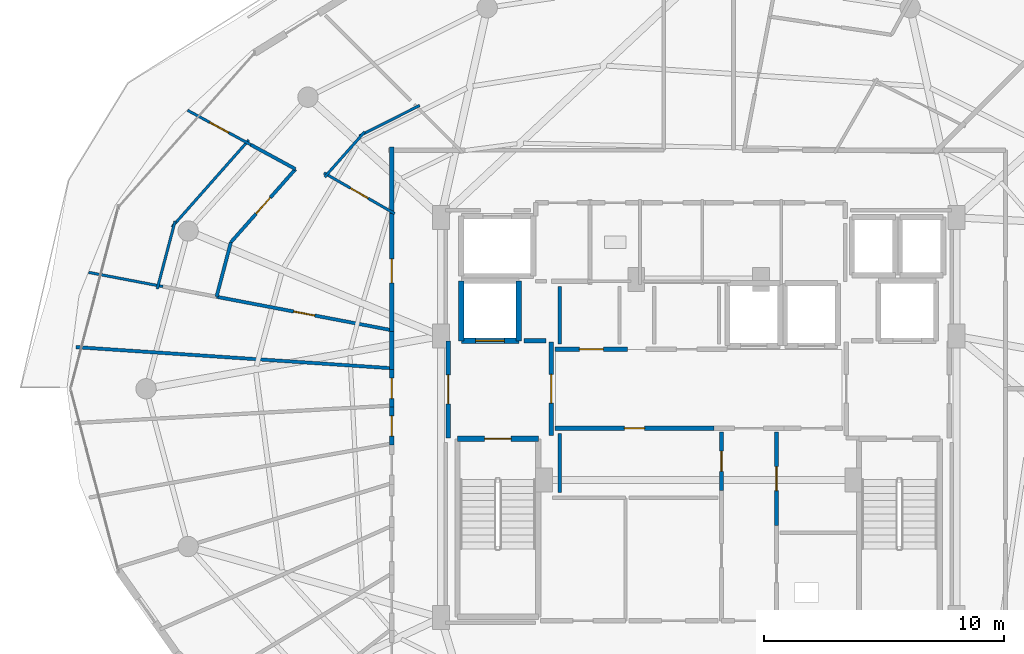
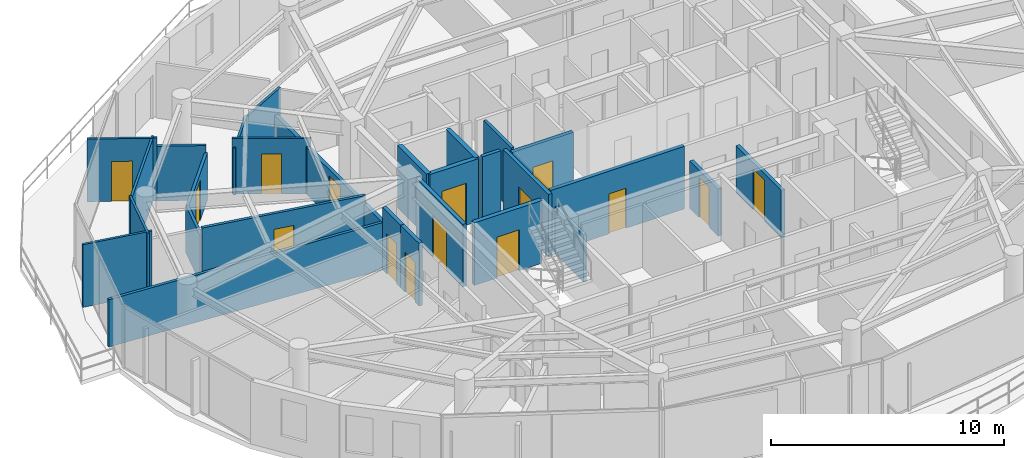
# One storey, part 22 of 29: 30 walls, 15 doors, 15 openings.
"""IFC4 building model written with IfcOpenShell, lengths in metres."""

from ifc_helpers import new_model, si_unit, direction, frame, frame_2d, origin, place, context, subcontext, project, spatial, rectangle, extrude, material, layer, layer_set, type_object, element, fill, save


model = new_model("IFC4")

# Units and contexts
model_context = context("Model", 3, precision=1e-05, world=origin(), true_north=direction((0.0, 1.0)))
body_context = subcontext(model_context, "Body", "Model", "MODEL_VIEW")
ifc_project = project(units=[si_unit("LENGTHUNIT", "METRE"), si_unit("AREAUNIT", "SQUARE_METRE"), si_unit("VOLUMEUNIT", "CUBIC_METRE"), si_unit("PLANEANGLEUNIT", "RADIAN"), si_unit("MASSUNIT", "GRAM", prefix="KILO")], contexts=[model_context])

# Site, building, storey
site_placement = place(None, origin())
site = spatial("IfcSite", under=ifc_project, at=site_placement, CompositionType="ELEMENT")
building_placement = place(site_placement, origin())
building = spatial("IfcBuilding", under=site, at=building_placement, Name="Vorneva Point Tower", CompositionType="ELEMENT")
storey_placement = place(building_placement, frame((0.0, 0.0, 273.300048828125)))
storey = spatial("IfcBuildingStorey", under=building, at=storey_placement, Name="L74", CompositionType="ELEMENT", Elevation=273.300048828125)

# Wall, opening, door
ifc_material_1 = material(Name="Concrete B60 (C50/60)", Category="concrete")
ifc_layer_1 = layer(ifc_material_1, 0.35009765625)
ifc_layer_set_1 = layer_set([ifc_layer_1], Name="Concrete B60 (C50/60)")
wall_type_1 = type_object("IfcWallType", Name="WL-CORE-350", PredefinedType="SHEAR", material=ifc_layer_set_1)
wall_1_placement = place(storey_placement, frame((28.10009765625, 28.0, 0.0), z_axis=(0.0, 0.0, 1.0), x_axis=(1.0, 0.0, 0.0)))
wall_1 = element("IfcWall", 1, at=wall_1_placement, inside=storey, type_object=wall_type_1, Name="L74 Lift FFL1 Shaft Wall -Y", PredefinedType="SHEAR", context=body_context, shape_type="SweptSolid", body=[
    extrude(rectangle(XDim=2.39990234375, YDim=0.219970703125, at=frame_2d((1.199951171875, 0.0))), origin(), (0.0, 0.0, 1.0), 3.2900390625),
])
opening_1_placement = place(wall_1_placement, frame((0.60009765625, 0.0, 0.0)))
opening_1 = element("IfcOpeningElement", 2, at=opening_1_placement, cuts=wall_1, Name="Opening LD-02", PredefinedType="OPENING", context=body_context, shape_type="SweptSolid", body=[
    extrude(rectangle(XDim=1.199951171875, YDim=2.199951171875, at=frame_2d((0.60009765625, 1.10009765625))), frame((0.0, 0.125, 0.0), z_axis=(0.0, -1.0, 0.0), x_axis=(1.0, 0.0, 0.0)), (0.0, 0.0, 1.0), 0.249755859375),
])
ifc_material_2 = material(Name="Brushed stainless steel S304", Category="steel")
door_type_1 = type_object("IfcDoorType", Name="LD-FIRE-1200", OperationType="SLIDING_TO_LEFT", PredefinedType="DOOR", material=ifc_material_2)
door_1_placement = place(opening_1_placement, origin())
door_1 = element("IfcDoor", 3, at=door_1_placement, inside=storey, type_object=door_type_1, Name="L74 Lift FFL1 Sliding Landing Door", OperationType="SLIDING_TO_LEFT", OverallHeight=2.199951171875, OverallWidth=1.199951171875, PredefinedType="DOOR", context=body_context, shape_type="SweptSolid", body=[
    extrude(rectangle(XDim=1.199951171875, YDim=2.199951171875, at=frame_2d((0.60009765625, 1.10009765625))), frame((0.0, 0.02490234375, 0.0), z_axis=(0.0, -1.0, 0.0), x_axis=(1.0, 0.0, 0.0)), (0.0, 0.0, 1.0), 0.050048828125),
])
fill(opening_1, door_1)

# Walls
for number, where, z_axis, x_axis, name in (
    (4, (30.5, 28.0, 0.0), (0.0, 0.0, 1.0), (0.0, 1.0, 0.0), "L74 Lift FFL1 Shaft Wall +X"),
    (5, (28.10009765625, 30.5, 0.0), (0.0, 0.0, 1.0), (0.0, -1.0, 0.0), "L74 Lift FFL1 Shaft Wall -X"),
):
    element("IfcWall", number, at=place(storey_placement, frame(where, z_axis=z_axis, x_axis=x_axis)), inside=storey, type_object=wall_type_1, Name=name, PredefinedType="SHEAR", context=body_context, shape_type="SweptSolid", body=[
        extrude(rectangle(XDim=2.5, YDim=0.219970703125, at=frame_2d((1.25, 0.0))), origin(), (0.0, 0.0, 1.0), 3.2900390625),
    ])

# Wall, opening, door
ifc_material_3 = material(Name="Fire-rated acoustic gypsum stud partition", Category="gypsum")
ifc_layer_2 = layer(ifc_material_3, 0.110107421875)
ifc_layer_set_2 = layer_set([ifc_layer_2], Name="Fire-rated acoustic gypsum stud partition")
wall_type_2 = type_object("IfcWallType", Name="WL-PART-110", PredefinedType="PARTITIONING", material=ifc_layer_set_2)
wall_2_placement = place(storey_placement, frame((25.3212890625, 33.30615234375, 0.0), z_axis=(0.0, 0.0, 1.0), x_axis=(-0.866517217622, 0.49914718427, 0.0)))
wall_2 = element("IfcWall", 6, at=wall_2_placement, inside=storey, type_object=wall_type_2, Name="L74 Interior Partition 075", PredefinedType="PARTITIONING", context=body_context, shape_type="SweptSolid", body=[
    extrude(rectangle(XDim=3.4052734375, YDim=0.110107421875, at=frame_2d((1.70263671875, 0.0))), origin(), (0.0, 0.0, 1.0), 2.924072265625),
])
opening_2_placement = place(wall_2_placement, frame((1.277587890625, 0.0, 0.0)))
opening_2 = element("IfcOpeningElement", 7, at=opening_2_placement, cuts=wall_2, Name="Opening ID-02", PredefinedType="OPENING", context=body_context, shape_type="SweptSolid", body=[
    extrude(rectangle(XDim=0.85009765625, YDim=2.10009765625, at=frame_2d((0.425048828125, 1.050048828125))), frame((0.0, 0.06982421875, 0.0), z_axis=(0.0, -1.0, 0.0), x_axis=(1.0, 0.0, 0.0)), (0.0, 0.0, 1.0), 0.139892578125),
])
ifc_material_4 = material(Name="Engineered oak fire-rated door leaf", Category="wood")
door_type_2 = type_object("IfcDoorType", Name="DR-BATH-850", OperationType="NOTDEFINED", PredefinedType="DOOR", material=ifc_material_4)
door_2_placement = place(opening_2_placement, origin())
door_2 = element("IfcDoor", 8, at=door_2_placement, inside=storey, type_object=door_type_2, Name="L74 Door Living and Dining Room L74-02 / Bathroom L74-02", OperationType="SINGLE_SWING_RIGHT", OverallHeight=2.10009765625, OverallWidth=0.85009765625, PredefinedType="DOOR", context=body_context, shape_type="SweptSolid", body=[
    extrude(rectangle(XDim=0.85009765625, YDim=2.10009765625, at=frame_2d((0.425048828125, 1.050048828125))), frame((0.0, 0.02490234375, 0.0), z_axis=(0.0, -1.0, 0.0), x_axis=(1.0, 0.0, 0.0)), (0.0, 0.0, 1.0), 0.050048828125),
])
fill(opening_2, door_2)

# Walls
wall_3_placement = place(storey_placement, frame((22.3994140625, 34.8310546875, 0.0), z_axis=(0.0, 0.0, 1.0), x_axis=(0.662292938072, 0.749244996099, 0.0)))
element("IfcWall", 9, at=wall_3_placement, inside=storey, type_object=wall_type_2, Name="L74 Interior Partition 076", PredefinedType="PARTITIONING", context=body_context, shape_type="SweptSolid", body=[
    extrude(rectangle(XDim=2.512939453125, YDim=0.110107421875, at=frame_2d((1.25634765625, 0.0))), origin(), (0.0, 0.0, 1.0), 2.48193359375),
])
wall_4_placement = place(storey_placement, frame((23.845947265625, 36.5458984375, 0.0), z_axis=(0.0, 0.0, 1.0), x_axis=(0.892553076465, 0.450942352959, 0.0)))
element("IfcWall", 10, at=wall_4_placement, inside=storey, type_object=wall_type_2, Name="L74 Interior Partition 077", PredefinedType="PARTITIONING", context=body_context, shape_type="SweptSolid", body=[
    extrude(rectangle(XDim=2.82568359375, YDim=0.110107421875, at=frame_2d((1.412841796875, 0.0))), origin(), (0.0, 0.0, 1.0), 2.48193359375),
])
wall_5_placement = place(storey_placement, frame((15.6474609375, 30.264892578125, 0.0), z_axis=(0.0, 0.0, 1.0), x_axis=(-0.982326348308, 0.187176241599, 0.0)))
element("IfcWall", 11, at=wall_5_placement, inside=storey, type_object=wall_type_2, Name="L74 Interior Partition 079", PredefinedType="PARTITIONING", context=body_context, shape_type="SweptSolid", body=[
    extrude(rectangle(XDim=3.148681640625, YDim=0.110107421875, at=frame_2d((1.57421875, 0.0))), origin(), (0.0, 0.0, 1.0), 3.2900390625),
])

# Wall, opening, door
wall_6_placement = place(storey_placement, frame((16.68408203125, 37.614013671875, 0.0), z_axis=(0.0, 0.0, 1.0), x_axis=(0.878218537438, -0.478259553486, 0.0)))
wall_6 = element("IfcWall", 12, at=wall_6_placement, inside=storey, type_object=wall_type_2, Name="L74 Interior Partition 080", PredefinedType="PARTITIONING", context=body_context, shape_type="SweptSolid", body=[
    extrude(rectangle(XDim=3.002685546875, YDim=0.110107421875, at=frame_2d((1.50146484375, 0.0))), origin(), (0.0, 0.0, 1.0), 3.2900390625),
])
opening_3_placement = place(wall_6_placement, frame((1.05126953125, 0.0, 0.0)))
opening_3 = element("IfcOpeningElement", 13, at=opening_3_placement, cuts=wall_6, Name="Opening ID-01", PredefinedType="OPENING", context=body_context, shape_type="SweptSolid", body=[
    extrude(rectangle(XDim=0.89990234375, YDim=2.10009765625, at=frame_2d((0.449951171875, 1.050048828125))), frame((0.0, 0.06982421875, 0.0), z_axis=(0.0, -1.0, 0.0), x_axis=(1.0, 0.0, 0.0)), (0.0, 0.0, 1.0), 0.139892578125),
])
door_type_3 = type_object("IfcDoorType", Name="DR-ROOM-900", OperationType="NOTDEFINED", PredefinedType="DOOR", material=ifc_material_4)
door_3_placement = place(opening_3_placement, origin())
door_3 = element("IfcDoor", 14, at=door_3_placement, inside=storey, type_object=door_type_3, Name="L74 Door Living and Dining Room L74-02 / Kitchen L74-02", OperationType="SINGLE_SWING_RIGHT", OverallHeight=2.10009765625, OverallWidth=0.89990234375, PredefinedType="DOOR", context=body_context, shape_type="SweptSolid", body=[
    extrude(rectangle(XDim=0.89990234375, YDim=2.10009765625, at=frame_2d((0.449951171875, 1.050048828125))), frame((0.0, 0.02490234375, 0.0), z_axis=(0.0, -1.0, 0.0), x_axis=(1.0, 0.0, 0.0)), (0.0, 0.0, 1.0), 0.050048828125),
])
fill(opening_3, door_3)

# Walls
wall_7_placement = place(storey_placement, frame((15.415283203125, 30.16650390625, 0.0), z_axis=(0.0, 0.0, 1.0), x_axis=(0.254760975284, 0.967004056596, 0.0)))
element("IfcWall", 15, at=wall_7_placement, inside=storey, type_object=wall_type_2, Name="L74 Interior Partition 086", PredefinedType="PARTITIONING", context=body_context, shape_type="SweptSolid", body=[
    extrude(rectangle(XDim=2.91796875, YDim=0.110107421875, at=frame_2d((1.458984375, 0.0))), origin(), (0.0, 0.0, 1.0), 3.2900390625),
])
wall_8_placement = place(storey_placement, frame((16.0302734375, 32.748046875, 0.0), z_axis=(0.0, 0.0, 1.0), x_axis=(0.662164889187, 0.749358165051, 0.0)))
element("IfcWall", 16, at=wall_8_placement, inside=storey, type_object=wall_type_2, Name="L74 Interior Partition 087", PredefinedType="PARTITIONING", context=body_context, shape_type="SweptSolid", body=[
    extrude(rectangle(XDim=4.843994140625, YDim=0.110107421875, at=frame_2d((2.421875, 0.0))), origin(), (0.0, 0.0, 1.0), 3.2900390625),
])

# Wall, opening, door
ifc_layer_3 = layer(ifc_material_3, 0.139892578125)
ifc_layer_set_3 = layer_set([ifc_layer_3], Name="Fire-rated acoustic gypsum stud partition")
wall_type_3 = type_object("IfcWallType", Name="WL-PART-140", PredefinedType="PARTITIONING", material=ifc_layer_set_3)
wall_9_placement = place(storey_placement, frame((21.18310546875, 35.1630859375, 0.0), z_axis=(0.0, 0.0, 1.0), x_axis=(-0.662034108956, -0.74947370773, 0.0)))
wall_9 = element("IfcWall", 17, at=wall_9_placement, inside=storey, type_object=wall_type_3, Name="L74 Interior Partition 081", PredefinedType="PARTITIONING", context=body_context, shape_type="SweptSolid", body=[
    extrude(rectangle(XDim=4.07080078125, YDim=0.139892578125, at=frame_2d((2.035400390625, 0.0))), origin(), (0.0, 0.0, 1.0), 2.48193359375),
])
opening_4_placement = place(wall_9_placement, frame((1.58544921875, 0.0, 0.0)))
opening_4 = element("IfcOpeningElement", 18, at=opening_4_placement, cuts=wall_9, Name="Opening ID-01", PredefinedType="OPENING", context=body_context, shape_type="SweptSolid", body=[
    extrude(rectangle(XDim=0.89990234375, YDim=2.10009765625, at=frame_2d((0.449951171875, 1.050048828125))), frame((0.0, 0.0849609375, 0.0), z_axis=(0.0, -1.0, 0.0), x_axis=(1.0, 0.0, 0.0)), (0.0, 0.0, 1.0), 0.169677734375),
])
door_4_placement = place(opening_4_placement, origin())
door_4 = element("IfcDoor", 19, at=door_4_placement, inside=storey, type_object=door_type_3, Name="L74 Door Living and Dining Room L74-02 / Study Room L74-02", OperationType="SINGLE_SWING_LEFT", OverallHeight=2.10009765625, OverallWidth=0.89990234375, PredefinedType="DOOR", context=body_context, shape_type="SweptSolid", body=[
    extrude(rectangle(XDim=0.89990234375, YDim=2.10009765625, at=frame_2d((0.449951171875, 1.050048828125))), frame((0.0, 0.02490234375, 0.0), z_axis=(0.0, -1.0, 0.0), x_axis=(1.0, 0.0, 0.0)), (0.0, 0.0, 1.0), 0.050048828125),
])
fill(opening_4, door_4)

# Walls
wall_10_placement = place(storey_placement, frame((18.488037109375, 32.112060546875, 0.0), z_axis=(0.0, 0.0, 1.0), x_axis=(-0.254651639247, -0.967032854989, 0.0)))
element("IfcWall", 20, at=wall_10_placement, inside=storey, type_object=wall_type_3, Name="L74 Interior Partition 082", PredefinedType="PARTITIONING", context=body_context, shape_type="SweptSolid", body=[
    extrude(rectangle(XDim=2.352783203125, YDim=0.139892578125, at=frame_2d((1.17626953125, 0.0))), origin(), (0.0, 0.0, 1.0), 2.48193359375),
])
wall_11_placement = place(storey_placement, frame((19.32080078125, 36.177490234375, 0.0), z_axis=(0.0, 0.0, 1.0), x_axis=(0.878172605495, -0.47834388776, 0.0)))
element("IfcWall", 21, at=wall_11_placement, inside=storey, type_object=wall_type_3, Name="L74 Interior Partition 084", PredefinedType="PARTITIONING", context=body_context, shape_type="SweptSolid", body=[
    extrude(rectangle(XDim=2.12060546875, YDim=0.139892578125, at=frame_2d((1.060302734375, 0.0))), origin(), (0.0, 0.0, 1.0), 2.8740234375),
])

# Wall, opening, door
wall_12_placement = place(storey_placement, frame((17.888916015625, 29.836669921875, 0.0), z_axis=(0.0, 0.0, 1.0), x_axis=(0.982284262094, -0.187396980877, 0.0)))
wall_12 = element("IfcWall", 22, at=wall_12_placement, inside=storey, type_object=wall_type_3, Name="L74 Interior Partition 085", PredefinedType="PARTITIONING", context=body_context, shape_type="SweptSolid", body=[
    extrude(rectangle(XDim=7.44287109375, YDim=0.139892578125, at=frame_2d((3.721435546875, 0.0))), origin(), (0.0, 0.0, 1.0), 2.924072265625),
])
opening_5_placement = place(wall_12_placement, frame((3.271484375, 0.0, 0.0)))
opening_5 = element("IfcOpeningElement", 23, at=opening_5_placement, cuts=wall_12, Name="Opening ID-01", PredefinedType="OPENING", context=body_context, shape_type="SweptSolid", body=[
    extrude(rectangle(XDim=0.89990234375, YDim=2.10009765625, at=frame_2d((0.449951171875, 1.050048828125))), frame((0.0, 0.0849609375, 0.0), z_axis=(0.0, -1.0, 0.0), x_axis=(1.0, 0.0, 0.0)), (0.0, 0.0, 1.0), 0.169677734375),
])
door_5_placement = place(opening_5_placement, origin())
door_5 = element("IfcDoor", 24, at=door_5_placement, inside=storey, type_object=door_type_3, Name="L74 Door Living and Dining Room L74-02 / Master Bedroom L74-02.1", OperationType="SINGLE_SWING_RIGHT", OverallHeight=2.10009765625, OverallWidth=0.89990234375, PredefinedType="DOOR", context=body_context, shape_type="SweptSolid", body=[
    extrude(rectangle(XDim=0.89990234375, YDim=2.10009765625, at=frame_2d((0.449951171875, 1.050048828125))), frame((0.0, 0.02490234375, 0.0), z_axis=(0.0, -1.0, 0.0), x_axis=(1.0, 0.0, 0.0)), (0.0, 0.0, 1.0), 0.050048828125),
])
fill(opening_5, door_5)

# Walls
wall_13_placement = place(storey_placement, frame((12.027099609375, 27.737060546875, 0.0), z_axis=(0.0, 0.0, 1.0), x_axis=(0.997770487114, -0.066738707243, 0.0)))
element("IfcWall", 25, at=wall_13_placement, inside=storey, type_object=wall_type_3, Name="L74 Interior Partition 088", PredefinedType="PARTITIONING", context=body_context, shape_type="SweptSolid", body=[
    extrude(rectangle(XDim=13.202392578125, YDim=0.139892578125, at=frame_2d((6.60107421875, 0.0))), origin(), (0.0, 0.0, 1.0), 2.48193359375),
])
wall_14_placement = place(storey_placement, frame((32.199951171875, 30.260009765625, 0.0), z_axis=(0.0, 0.0, 1.0), x_axis=(0.0, -1.0, 0.0)))
element("IfcWall", 26, at=wall_14_placement, inside=storey, type_object=wall_type_3, Name="L74 Interior Closure Partition 113", PredefinedType="PARTITIONING", context=body_context, shape_type="SweptSolid", body=[
    extrude(rectangle(XDim=2.389892578125, YDim=0.139892578125, at=frame_2d((1.19482421875, 0.0))), origin(), (0.0, 0.0, 1.0), 3.2900390625),
])
wall_15_placement = place(storey_placement, frame((32.199951171875, 24.1298828125, 0.0), z_axis=(0.0, 0.0, 1.0), x_axis=(0.0, -1.0, 0.0)))
element("IfcWall", 27, at=wall_15_placement, inside=storey, type_object=wall_type_3, Name="L74 Interior Closure Partition 117", PredefinedType="PARTITIONING", context=body_context, shape_type="SweptSolid", body=[
    extrude(rectangle(XDim=2.4599609375, YDim=0.139892578125, at=frame_2d((1.22998046875, 0.0))), origin(), (0.0, 0.0, 1.0), 2.48193359375),
])

# Wall, opening, door
ifc_material_5 = material(Name="Autoclaved aerated concrete blockwork", Category="masonry")
ifc_layer_4 = layer(ifc_material_5, 0.179931640625)
ifc_layer_set_4 = layer_set([ifc_layer_4], Name="Autoclaved aerated concrete blockwork")
wall_type_4 = type_object("IfcWallType", Name="WL-PART-180", PredefinedType="PARTITIONING", material=ifc_layer_set_4)
wall_16_placement = place(storey_placement, frame((31.85009765625, 24.044921875, 0.0), z_axis=(0.0, 0.0, 1.0), x_axis=(0.0, 1.0, 0.0)))
wall_16 = element("IfcWall", 28, at=wall_16_placement, inside=storey, type_object=wall_type_4, Name="L74 Interior Partition 001", PredefinedType="PARTITIONING", context=body_context, shape_type="SweptSolid", body=[
    extrude(rectangle(XDim=3.91015625, YDim=0.179931640625, at=frame_2d((1.955078125, 0.0))), origin(), (0.0, 0.0, 1.0), 3.2900390625),
])
opening_6_placement = place(wall_16_placement, frame((1.35498046875, 0.0, 0.0)))
opening_6 = element("IfcOpeningElement", 29, at=opening_6_placement, cuts=wall_16, Name="Opening FD-02", PredefinedType="OPENING", context=body_context, shape_type="SweptSolid", body=[
    extrude(rectangle(XDim=1.199951171875, YDim=2.14990234375, at=frame_2d((0.60009765625, 1.074951171875))), frame((0.0, 0.10498046875, 0.0), z_axis=(0.0, -1.0, 0.0), x_axis=(1.0, 0.0, 0.0)), (0.0, 0.0, 1.0), 0.209716796875),
])
ifc_material_6 = material(Name="Fire-rated powder-coated steel", Category="steel")
door_type_4 = type_object("IfcDoorType", Name="DR-FFL-1200", OperationType="NOTDEFINED", PredefinedType="DOOR", material=ifc_material_6)
door_6_placement = place(opening_6_placement, origin())
door_6 = element("IfcDoor", 30, at=door_6_placement, inside=storey, type_object=door_type_4, Name="L74 Door West Firefighting Lobby / Central Lift Lobby", OperationType="SINGLE_SWING_LEFT", OverallHeight=2.14990234375, OverallWidth=1.199951171875, PredefinedType="DOOR", context=body_context, shape_type="SweptSolid", body=[
    extrude(rectangle(XDim=1.199951171875, YDim=2.14990234375, at=frame_2d((0.60009765625, 1.074951171875))), frame((0.0, 0.02490234375, 0.0), z_axis=(0.0, -1.0, 0.0), x_axis=(1.0, 0.0, 0.0)), (0.0, 0.0, 1.0), 0.050048828125),
])
fill(opening_6, door_6)

wall_17_placement = place(storey_placement, frame((27.550048828125, 28.0, 0.0), z_axis=(0.0, 0.0, 1.0), x_axis=(0.0, -1.0, 0.0)))
wall_17 = element("IfcWall", 31, at=wall_17_placement, inside=storey, type_object=wall_type_4, Name="L74 Interior Partition 002", PredefinedType="PARTITIONING", context=body_context, shape_type="SweptSolid", body=[
    extrude(rectangle(XDim=4.050048828125, YDim=0.179931640625, at=frame_2d((2.02490234375, 0.0))), origin(), (0.0, 0.0, 1.0), 3.2900390625),
])
opening_7_placement = place(wall_17_placement, frame((1.425048828125, 0.0, 0.0)))
opening_7 = element("IfcOpeningElement", 32, at=opening_7_placement, cuts=wall_17, Name="Opening FD-02", PredefinedType="OPENING", context=body_context, shape_type="SweptSolid", body=[
    extrude(rectangle(XDim=1.199951171875, YDim=2.14990234375, at=frame_2d((0.60009765625, 1.074951171875))), frame((0.0, 0.10498046875, 0.0), z_axis=(0.0, -1.0, 0.0), x_axis=(1.0, 0.0, 0.0)), (0.0, 0.0, 1.0), 0.209716796875),
])
door_7_placement = place(opening_7_placement, origin())
door_7 = element("IfcDoor", 33, at=door_7_placement, inside=storey, type_object=door_type_4, Name="L74 Door West Firefighting Lobby / L74 Circulation Corridor", OperationType="SINGLE_SWING_RIGHT", OverallHeight=2.14990234375, OverallWidth=1.199951171875, PredefinedType="DOOR", context=body_context, shape_type="SweptSolid", body=[
    extrude(rectangle(XDim=1.199951171875, YDim=2.14990234375, at=frame_2d((0.60009765625, 1.074951171875))), frame((0.0, 0.02490234375, 0.0), z_axis=(0.0, -1.0, 0.0), x_axis=(1.0, 0.0, 0.0)), (0.0, 0.0, 1.0), 0.050048828125),
])
fill(opening_7, door_7)

wall_18_placement = place(storey_placement, frame((35.0400390625, 27.64990234375, 0.0), z_axis=(0.0, 0.0, 1.0), x_axis=(-1.0, 0.0, 0.0)))
wall_18 = element("IfcWall", 34, at=wall_18_placement, inside=storey, type_object=wall_type_4, Name="L74 Interior Partition 012", PredefinedType="PARTITIONING", context=body_context, shape_type="SweptSolid", body=[
    extrude(rectangle(XDim=3.0400390625, YDim=0.179931640625, at=frame_2d((1.52001953125, 0.0))), origin(), (0.0, 0.0, 1.0), 3.2900390625),
])
opening_8_placement = place(wall_18_placement, frame((1.02001953125, 0.0, 0.0)))
opening_8 = element("IfcOpeningElement", 35, at=opening_8_placement, cuts=wall_18, Name="Opening UD-01", PredefinedType="OPENING", context=body_context, shape_type="SweptSolid", body=[
    extrude(rectangle(XDim=1.0, YDim=2.14990234375, at=frame_2d((0.5, 1.074951171875))), frame((0.0, 0.10498046875, 0.0), z_axis=(0.0, -1.0, 0.0), x_axis=(1.0, 0.0, 0.0)), (0.0, 0.0, 1.0), 0.209716796875),
])
door_type_5 = type_object("IfcDoorType", Name="DR-UNIT-1000", OperationType="NOTDEFINED", PredefinedType="DOOR", material=ifc_material_4)
door_8_placement = place(opening_8_placement, origin())
door_8 = element("IfcDoor", 36, at=door_8_placement, inside=storey, type_object=door_type_5, Name="L74 Door Central Lift Lobby / Reclaimed Core Lounge", OperationType="SINGLE_SWING_RIGHT", OverallHeight=2.14990234375, OverallWidth=1.0, PredefinedType="DOOR", context=body_context, shape_type="SweptSolid", body=[
    extrude(rectangle(XDim=1.0, YDim=2.14990234375, at=frame_2d((0.5, 1.074951171875))), frame((0.0, 0.02490234375, 0.0), z_axis=(0.0, -1.0, 0.0), x_axis=(1.0, 0.0, 0.0)), (0.0, 0.0, 1.0), 0.050048828125),
])
fill(opening_8, door_8)

wall_19_placement = place(storey_placement, frame((32.0, 24.35009765625, 0.0), z_axis=(0.0, 0.0, 1.0), x_axis=(1.0, 0.0, 0.0)))
wall_19 = element("IfcWall", 37, at=wall_19_placement, inside=storey, type_object=wall_type_4, Name="L74 Interior Partition 014", PredefinedType="PARTITIONING", context=body_context, shape_type="SweptSolid", body=[
    extrude(rectangle(XDim=6.64501953125, YDim=0.179931640625, at=frame_2d((3.322509765625, 0.0))), origin(), (0.0, 0.0, 1.0), 3.2900390625),
])
opening_9_placement = place(wall_19_placement, frame((2.8974609375, 0.0, 0.0)))
opening_9 = element("IfcOpeningElement", 38, at=opening_9_placement, cuts=wall_19, Name="Opening ID-02", PredefinedType="OPENING", context=body_context, shape_type="SweptSolid", body=[
    extrude(rectangle(XDim=0.85009765625, YDim=2.10009765625, at=frame_2d((0.425048828125, 1.050048828125))), frame((0.0, 0.10498046875, 0.0), z_axis=(0.0, -1.0, 0.0), x_axis=(1.0, 0.0, 0.0)), (0.0, 0.0, 1.0), 0.209716796875),
])
door_9_placement = place(opening_9_placement, origin())
door_9 = element("IfcDoor", 39, at=door_9_placement, inside=storey, type_object=door_type_2, Name="L74 Door Central Lift Lobby / Reclaimed High-Zone Wine Vault", OperationType="SINGLE_SWING_RIGHT", OverallHeight=2.10009765625, OverallWidth=0.85009765625, PredefinedType="DOOR", context=body_context, shape_type="SweptSolid", body=[
    extrude(rectangle(XDim=0.85009765625, YDim=2.10009765625, at=frame_2d((0.425048828125, 1.050048828125))), frame((0.0, 0.02490234375, 0.0), z_axis=(0.0, -1.0, 0.0), x_axis=(1.0, 0.0, 0.0)), (0.0, 0.0, 1.0), 0.050048828125),
])
fill(opening_9, door_9)

wall_20_placement = place(storey_placement, frame((41.25, 20.304931640625, 0.0), z_axis=(0.0, 0.0, 1.0), x_axis=(0.0, 1.0, 0.0)))
wall_20 = element("IfcWall", 40, at=wall_20_placement, inside=storey, type_object=wall_type_4, Name="L74 Interior Partition 016", PredefinedType="PARTITIONING", context=body_context, shape_type="SweptSolid", body=[
    extrude(rectangle(XDim=3.89501953125, YDim=0.179931640625, at=frame_2d((1.947509765625, 0.0))), origin(), (0.0, 0.0, 1.0), 2.48193359375),
])
opening_10_placement = place(wall_20_placement, frame((1.447509765625, 0.0, 0.0)))
opening_10 = element("IfcOpeningElement", 41, at=opening_10_placement, cuts=wall_20, Name="Opening UD-01", PredefinedType="OPENING", context=body_context, shape_type="SweptSolid", body=[
    extrude(rectangle(XDim=1.0, YDim=2.14990234375, at=frame_2d((0.5, 1.074951171875))), frame((0.0, 0.10498046875, 0.0), z_axis=(0.0, -1.0, 0.0), x_axis=(1.0, 0.0, 0.0)), (0.0, 0.0, 1.0), 0.209716796875),
])
door_10_placement = place(opening_10_placement, origin())
door_10 = element("IfcDoor", 42, at=door_10_placement, inside=storey, type_object=door_type_5, Name="L74 Door Core Service Lobby / Floor Management Office", OperationType="SINGLE_SWING_RIGHT", OverallHeight=2.14990234375, OverallWidth=1.0, PredefinedType="DOOR", context=body_context, shape_type="SweptSolid", body=[
    extrude(rectangle(XDim=1.0, YDim=2.14990234375, at=frame_2d((0.5, 1.074951171875))), frame((0.0, 0.02490234375, 0.0), z_axis=(0.0, -1.0, 0.0), x_axis=(1.0, 0.0, 0.0)), (0.0, 0.0, 1.0), 0.050048828125),
])
fill(opening_10, door_10)

wall_21_placement = place(storey_placement, frame((38.949951171875, 24.199951171875, 0.0), z_axis=(0.0, 0.0, 1.0), x_axis=(0.0, -1.0, 0.0)))
wall_21 = element("IfcWall", 43, at=wall_21_placement, inside=storey, type_object=wall_type_4, Name="L74 Interior Partition 018", PredefinedType="PARTITIONING", context=body_context, shape_type="SweptSolid", body=[
    extrude(rectangle(XDim=2.445068359375, YDim=0.179931640625, at=frame_2d((1.22265625, 0.0))), origin(), (0.0, 0.0, 1.0), 2.48193359375),
])
opening_11_placement = place(wall_21_placement, frame((0.797607421875, 0.0, 0.0)))
opening_11 = element("IfcOpeningElement", 44, at=opening_11_placement, cuts=wall_21, Name="Opening ID-02", PredefinedType="OPENING", context=body_context, shape_type="SweptSolid", body=[
    extrude(rectangle(XDim=0.85009765625, YDim=2.10009765625, at=frame_2d((0.425048828125, 1.050048828125))), frame((0.0, 0.10498046875, 0.0), z_axis=(0.0, -1.0, 0.0), x_axis=(1.0, 0.0, 0.0)), (0.0, 0.0, 1.0), 0.209716796875),
])
door_11_placement = place(opening_11_placement, origin())
door_11 = element("IfcDoor", 45, at=door_11_placement, inside=storey, type_object=door_type_2, Name="L74 Door Core Service Lobby / Reclaimed High-Zone Wine Vault", OperationType="SINGLE_SWING_RIGHT", OverallHeight=2.10009765625, OverallWidth=0.85009765625, PredefinedType="DOOR", context=body_context, shape_type="SweptSolid", body=[
    extrude(rectangle(XDim=0.85009765625, YDim=2.10009765625, at=frame_2d((0.425048828125, 1.050048828125))), frame((0.0, 0.02490234375, 0.0), z_axis=(0.0, -1.0, 0.0), x_axis=(1.0, 0.0, 0.0)), (0.0, 0.0, 1.0), 0.050048828125),
])
fill(opening_11, door_11)

wall_22_placement = place(storey_placement, frame((25.199951171875, 33.445068359375, 0.0), z_axis=(0.0, 0.0, 1.0), x_axis=(0.0, -1.0, 0.0)))
wall_22 = element("IfcWall", 46, at=wall_22_placement, inside=storey, type_object=wall_type_4, Name="L74 Interior Partition 042", PredefinedType="PARTITIONING", context=body_context, shape_type="SweptSolid", body=[
    extrude(rectangle(XDim=5.06298828125, YDim=0.179931640625, at=frame_2d((2.531494140625, 0.0))), origin(), (0.0, 0.0, 1.0), 2.48193359375),
])
opening_12_placement = place(wall_22_placement, frame((2.031494140625, 0.0, 0.0)))
opening_12 = element("IfcOpeningElement", 47, at=opening_12_placement, cuts=wall_22, Name="Opening UD-01", PredefinedType="OPENING", context=body_context, shape_type="SweptSolid", body=[
    extrude(rectangle(XDim=1.0, YDim=2.14990234375, at=frame_2d((0.5, 1.074951171875))), frame((0.0, 0.10498046875, 0.0), z_axis=(0.0, -1.0, 0.0), x_axis=(1.0, 0.0, 0.0)), (0.0, 0.0, 1.0), 0.209716796875),
])
door_12_placement = place(opening_12_placement, origin())
door_12 = element("IfcDoor", 48, at=door_12_placement, inside=storey, type_object=door_type_5, Name="L74 Door L74 Circulation Corridor / Living and Dining Room L74-02", OperationType="SINGLE_SWING_RIGHT", OverallHeight=2.14990234375, OverallWidth=1.0, PredefinedType="DOOR", context=body_context, shape_type="SweptSolid", body=[
    extrude(rectangle(XDim=1.0, YDim=2.14990234375, at=frame_2d((0.5, 1.074951171875))), frame((0.0, 0.02490234375, 0.0), z_axis=(0.0, -1.0, 0.0), x_axis=(1.0, 0.0, 0.0)), (0.0, 0.0, 1.0), 0.050048828125),
])
fill(opening_12, door_12)

# Walls
wall_23_placement = place(storey_placement, frame((25.199951171875, 36.090087890625, 0.0), z_axis=(0.0, 0.0, 1.0), x_axis=(0.0, -1.0, 0.0)))
element("IfcWall", 49, at=wall_23_placement, inside=storey, type_object=wall_type_4, Name="L74 Interior Partition 044", PredefinedType="PARTITIONING", context=body_context, shape_type="SweptSolid", body=[
    extrude(rectangle(XDim=2.78515625, YDim=0.179931640625, at=frame_2d((1.392578125, 0.0))), origin(), (0.0, 0.0, 1.0), 2.48193359375),
])
wall_24_placement = place(storey_placement, frame((25.199951171875, 28.382080078125, 0.0), z_axis=(0.0, 0.0, 1.0), x_axis=(0.0, -1.0, 0.0)))
element("IfcWall", 50, at=wall_24_placement, inside=storey, type_object=wall_type_4, Name="L74 Interior Partition 045", PredefinedType="PARTITIONING", context=body_context, shape_type="SweptSolid", body=[
    extrude(rectangle(XDim=1.586181640625, YDim=0.179931640625, at=frame_2d((0.79296875, 0.0))), origin(), (0.0, 0.0, 1.0), 2.48193359375),
])

# Wall, opening, door
wall_25_placement = place(storey_placement, frame((25.199951171875, 26.7958984375, 0.0), z_axis=(0.0, 0.0, 1.0), x_axis=(0.0, -1.0, 0.0)))
wall_25 = element("IfcWall", 51, at=wall_25_placement, inside=storey, type_object=wall_type_4, Name="L74 Interior Partition 046", PredefinedType="PARTITIONING", context=body_context, shape_type="SweptSolid", body=[
    extrude(rectangle(XDim=1.559814453125, YDim=0.179931640625, at=frame_2d((0.77978515625, 0.0))), origin(), (0.0, 0.0, 1.0), 3.2900390625),
])
opening_13_placement = place(wall_25_placement, frame((0.35498046875, 0.0, 0.0)))
opening_13 = element("IfcOpeningElement", 52, at=opening_13_placement, cuts=wall_25, Name="Opening ID-02", PredefinedType="OPENING", context=body_context, shape_type="SweptSolid", body=[
    extrude(rectangle(XDim=0.85009765625, YDim=2.10009765625, at=frame_2d((0.425048828125, 1.050048828125))), frame((0.0, 0.10498046875, 0.0), z_axis=(0.0, -1.0, 0.0), x_axis=(1.0, 0.0, 0.0)), (0.0, 0.0, 1.0), 0.209716796875),
])
door_13_placement = place(opening_13_placement, origin())
door_13 = element("IfcDoor", 53, at=door_13_placement, inside=storey, type_object=door_type_2, Name="L74 Access Door L74 Circulation Corridor", OperationType="SINGLE_SWING_LEFT", OverallHeight=2.10009765625, OverallWidth=0.85009765625, PredefinedType="DOOR", context=body_context, shape_type="SweptSolid", body=[
    extrude(rectangle(XDim=0.85009765625, YDim=2.10009765625, at=frame_2d((0.425048828125, 1.050048828125))), frame((0.0, 0.02490234375, 0.0), z_axis=(0.0, -1.0, 0.0), x_axis=(1.0, 0.0, 0.0)), (0.0, 0.0, 1.0), 0.050048828125),
])
fill(opening_13, door_13)

wall_26_placement = place(storey_placement, frame((25.199951171875, 25.236083984375, 0.0), z_axis=(0.0, 0.0, 1.0), x_axis=(0.0, -1.0, 0.0)))
wall_26 = element("IfcWall", 54, at=wall_26_placement, inside=storey, type_object=wall_type_4, Name="L74 Interior Partition 047", PredefinedType="PARTITIONING", context=body_context, shape_type="SweptSolid", body=[
    extrude(rectangle(XDim=1.5830078125, YDim=0.179931640625, at=frame_2d((0.79150390625, 0.0))), origin(), (0.0, 0.0, 1.0), 3.2900390625),
])
opening_14_placement = place(wall_26_placement, frame((0.366455078125, 0.0, 0.0)))
opening_14 = element("IfcOpeningElement", 55, at=opening_14_placement, cuts=wall_26, Name="Opening ID-02", PredefinedType="OPENING", context=body_context, shape_type="SweptSolid", body=[
    extrude(rectangle(XDim=0.85009765625, YDim=2.10009765625, at=frame_2d((0.425048828125, 1.050048828125))), frame((0.0, 0.10498046875, 0.0), z_axis=(0.0, -1.0, 0.0), x_axis=(1.0, 0.0, 0.0)), (0.0, 0.0, 1.0), 0.209716796875),
])
door_14_placement = place(opening_14_placement, origin())
door_14 = element("IfcDoor", 56, at=door_14_placement, inside=storey, type_object=door_type_2, Name="L74 Access Door L74 Circulation Corridor", OperationType="SINGLE_SWING_RIGHT", OverallHeight=2.10009765625, OverallWidth=0.85009765625, PredefinedType="DOOR", context=body_context, shape_type="SweptSolid", body=[
    extrude(rectangle(XDim=0.85009765625, YDim=2.10009765625, at=frame_2d((0.425048828125, 1.050048828125))), frame((0.0, 0.02490234375, 0.0), z_axis=(0.0, -1.0, 0.0), x_axis=(1.0, 0.0, 0.0)), (0.0, 0.0, 1.0), 0.050048828125),
])
fill(opening_14, door_14)

# Wall
wall_27_placement = place(storey_placement, frame((31.635009765625, 28.0, 0.0), z_axis=(0.0, 0.0, 1.0), x_axis=(-1.0, 0.0, 0.0)))
element("IfcWall", 57, at=wall_27_placement, inside=storey, type_object=wall_type_4, Name="L74 Interior Closure Partition 109", PredefinedType="PARTITIONING", context=body_context, shape_type="SweptSolid", body=[
    extrude(rectangle(XDim=0.9150390625, YDim=0.179931640625, at=frame_2d((0.45751953125, 0.0))), origin(), (0.0, 0.0, 1.0), 3.2900390625),
])

# Wall, opening, door
ifc_material_7 = material(Name="Concrete B50 (C40/50)", Category="concrete")
ifc_layer_5 = layer(ifc_material_7, 0.219970703125)
ifc_layer_set_5 = layer_set([ifc_layer_5], Name="Concrete B50 (C40/50)")
wall_type_5 = type_object("IfcWallType", Name="WL-SHFT-220", PredefinedType="SOLIDWALL", material=ifc_layer_set_5)
wall_28_placement = place(storey_placement, frame((27.93994140625, 23.909912109375, 0.0), z_axis=(0.0, 0.0, 1.0), x_axis=(1.0, 0.0, 0.0)))
wall_28 = element("IfcWall", 58, at=wall_28_placement, inside=storey, type_object=wall_type_5, Name="L74 Exit Stair ST1 Shaft Wall near", PredefinedType="SOLIDWALL", context=body_context, shape_type="SweptSolid", body=[
    extrude(rectangle(XDim=3.3701171875, YDim=0.219970703125, at=frame_2d((1.68505859375, 0.0))), origin(), (0.0, 0.0, 1.0), 3.2900390625),
])
opening_15_placement = place(wall_28_placement, frame((1.135009765625, 0.0, 0.0)))
opening_15 = element("IfcOpeningElement", 59, at=opening_15_placement, cuts=wall_28, Name="Opening FD-01", PredefinedType="OPENING", context=body_context, shape_type="SweptSolid", body=[
    extrude(rectangle(XDim=1.10009765625, YDim=2.14990234375, at=frame_2d((0.550048828125, 1.074951171875))), frame((0.0, 0.125, 0.0), z_axis=(0.0, -1.0, 0.0), x_axis=(1.0, 0.0, 0.0)), (0.0, 0.0, 1.0), 0.249755859375),
])
door_type_6 = type_object("IfcDoorType", Name="DR-STAIR-1100", OperationType="NOTDEFINED", PredefinedType="DOOR", material=ifc_material_6)
door_15_placement = place(opening_15_placement, origin())
door_15 = element("IfcDoor", 60, at=door_15_placement, inside=storey, type_object=door_type_6, Name="L74 Exit Stair ST1 Fire Door", OperationType="SINGLE_SWING_RIGHT", OverallHeight=2.14990234375, OverallWidth=1.10009765625, PredefinedType="DOOR", context=body_context, shape_type="SweptSolid", body=[
    extrude(rectangle(XDim=1.10009765625, YDim=2.14990234375, at=frame_2d((0.550048828125, 1.074951171875))), frame((0.0, 0.02490234375, 0.0), z_axis=(0.0, -1.0, 0.0), x_axis=(1.0, 0.0, 0.0)), (0.0, 0.0, 1.0), 0.050048828125),
])
fill(opening_15, door_15)

save(model, "model.ifc")
